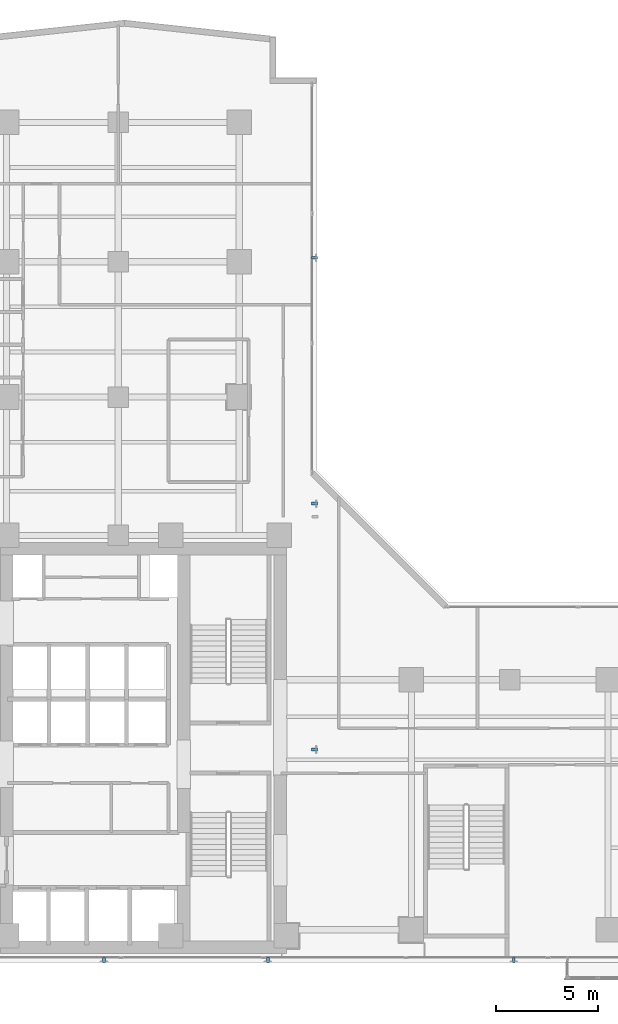
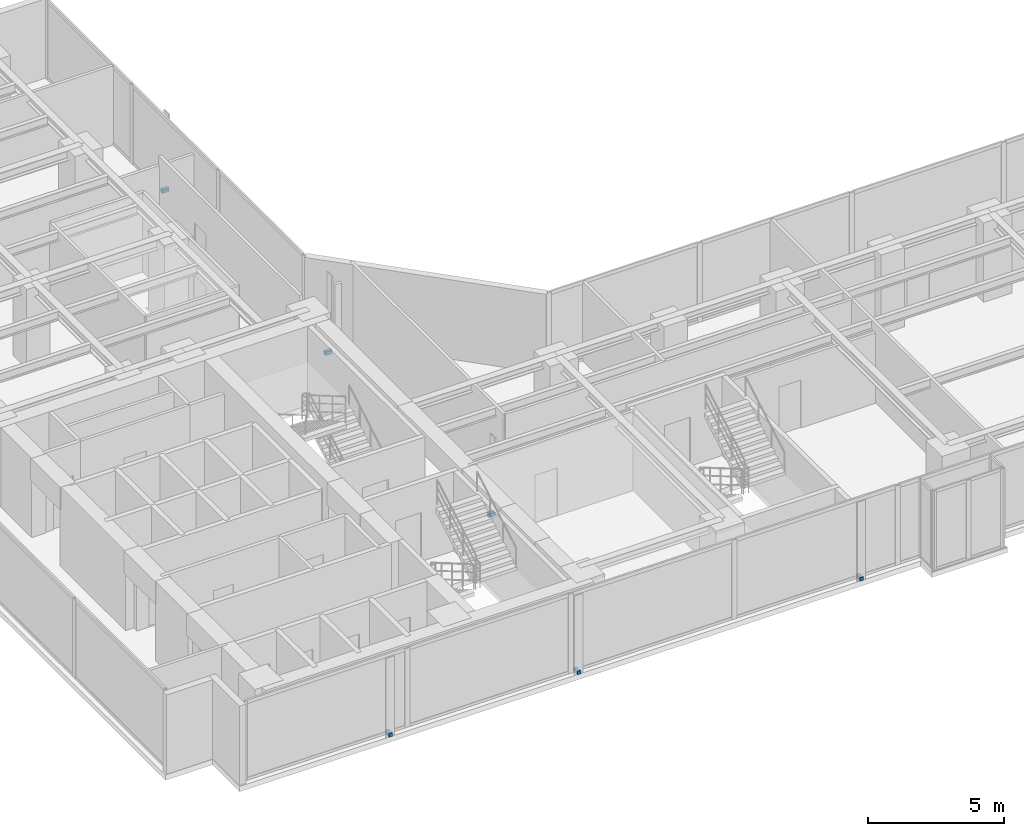
# One storey, part 23 of 27: 6 discrete accessories.
"""IFC4 building model written with IfcOpenShell, lengths in metres."""

from ifc_helpers import new_model, si_unit, direction, frame, origin, origin_with_axes, origin_2d, place, context, subcontext, project, spatial, rectangle, extrude, source, transform, mapped, material, type_object, element, save


model = new_model("IFC4")

# Units and contexts
model_context = context("Model", 3, precision=1e-05, world=origin(), true_north=direction((0.0, 1.0)))
body_context = subcontext(model_context, "Body", "Model", "MODEL_VIEW")
ifc_project = project(units=[si_unit("LENGTHUNIT", "METRE"), si_unit("AREAUNIT", "SQUARE_METRE"), si_unit("VOLUMEUNIT", "CUBIC_METRE"), si_unit("PLANEANGLEUNIT", "RADIAN"), si_unit("MASSUNIT", "GRAM", prefix="KILO")], contexts=[model_context])

# Site, building, storey
site_placement = place(None, origin())
site = spatial("IfcSite", under=ifc_project, at=site_placement, CompositionType="ELEMENT")
building_placement = place(site_placement, origin())
building = spatial("IfcBuilding", under=site, at=building_placement, Name="Kolvaren Waterfront Exchange", CompositionType="ELEMENT")
storey_placement = place(building_placement, frame((0.0, 0.0, 176.60009765625)))
storey = spatial("IfcBuildingStorey", under=building, at=storey_placement, Name="L45", CompositionType="ELEMENT", Elevation=176.60009765625)

# Discrete accessories
ifc_material = material(Name="Stainless steel 316", Category="steel")
discrete_accessory_type = type_object("IfcDiscreteAccessoryType", Name="ARC-BRK-FIN", PredefinedType="BRACKET", material=ifc_material)
shared_shape = source(origin_with_axes(), body_context, "Body", "SweptSolid", [
    extrude(rectangle(XDim=0.280029296875, YDim=0.139892578125, at=origin_2d()), origin(), (0.0, 0.0, 1.0), 0.159912109375),
])
for number, where, z_axis, x_axis, name in (
    (1, (12.199951171875, 3.719970703125, 0.0), (0.0, 0.0, 1.0), (0.0, -1.0, 0.0), "L45 bronze fin anchor bracket FIN-L45-S1"),
    (2, (20.199951171875, 3.719970703125, 0.0), (0.0, 0.0, 1.0), (0.0, -1.0, 0.0), "L45 bronze fin anchor bracket FIN-L45-S2"),
    (3, (32.199951171875, 3.719970703125, 0.0), (0.0, 0.0, 1.0), (0.0, -1.0, 0.0), "L45 bronze fin anchor bracket FIN-L45-S3"),
    (4, (22.47998046875, 14.0, 0.0), (0.0, 0.0, 1.0), (1.0, 0.0, 0.0), "L45 bronze fin anchor bracket FIN-L45-E1"),
    (5, (22.47998046875, 26.0, 0.0), (0.0, 0.0, 1.0), (1.0, 0.0, 0.0), "L45 bronze fin anchor bracket FIN-L45-E2"),
    (6, (22.47998046875, 38.0, 0.0), (0.0, 0.0, 1.0), (1.0, 0.0, 0.0), "L45 bronze fin anchor bracket FIN-L45-E3"),
):
    element("IfcDiscreteAccessory", number, at=place(storey_placement, frame(where, z_axis=z_axis, x_axis=x_axis)), inside=storey, type_object=discrete_accessory_type, Name=name, PredefinedType="BRACKET", context=body_context, shape_type="MappedRepresentation", body=[
        mapped(shared_shape, transform((0.0, 0.0, 0.0), x_axis=(1.0, 0.0, 0.0), y_axis=(0.0, 1.0, 0.0), z_axis=(0.0, 0.0, 1.0), scale=1.0)),
    ])

save(model, "model.ifc")
